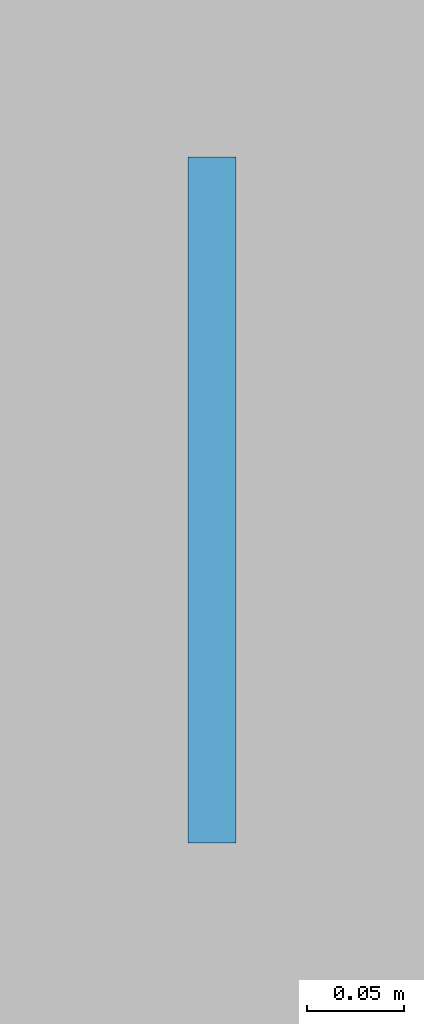
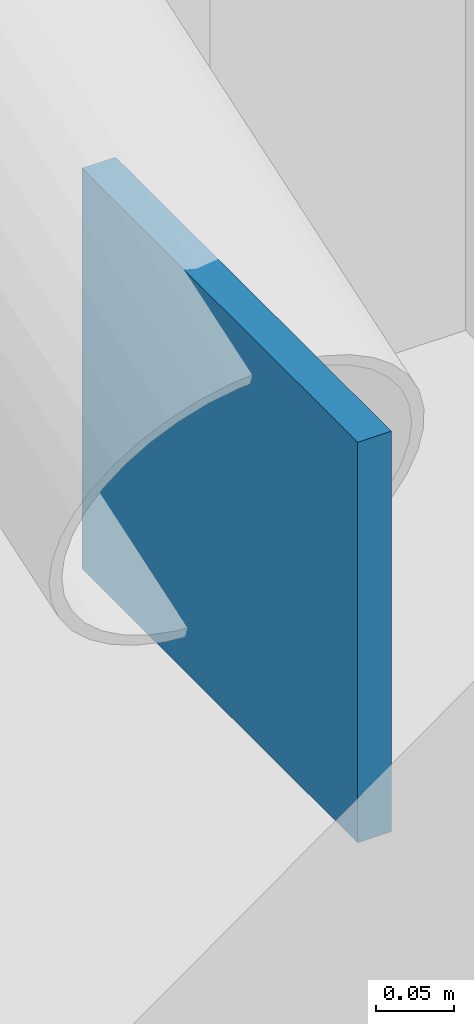
# One storey, part 37 of 58: 1 plate.
"""IFC4 building model written with IfcOpenShell, lengths in metres."""

from ifc_helpers import new_model, si_unit, direction, frame, origin, origin_2d, place, context, subcontext, project, spatial, rectangle, extrude, material, layer, layer_set, type_object, element, save


model = new_model("IFC4")

# Units and contexts
model_context = context("Model", 3, precision=1e-05, world=origin(), true_north=direction((0.0, 1.0)))
body_context = subcontext(model_context, "Body", "Model", "MODEL_VIEW")
ifc_project = project(units=[si_unit("LENGTHUNIT", "METRE"), si_unit("AREAUNIT", "SQUARE_METRE"), si_unit("VOLUMEUNIT", "CUBIC_METRE"), si_unit("PLANEANGLEUNIT", "RADIAN"), si_unit("MASSUNIT", "GRAM", prefix="KILO")], contexts=[model_context])

# Site, building, storey
site_placement = place(None, origin())
site = spatial("IfcSite", under=ifc_project, at=site_placement, CompositionType="ELEMENT")
building_placement = place(site_placement, origin())
building = spatial("IfcBuilding", under=site, at=building_placement, Name="Karori Crest Natural Sciences Institute", CompositionType="ELEMENT")
storey_placement = place(building_placement, frame((0.0, 0.0, -4.199951171875)))
storey = spatial("IfcBuildingStorey", under=building, at=storey_placement, Name="B1", CompositionType="ELEMENT", Elevation=-4.199951171875)

# Plate
ifc_material = material(Name="Structural steel AS/NZS 3679.1 Grade 350", Category="steel")
ifc_layer = layer(ifc_material, 0.02490234375, Name="Structural steel AS/NZS 3679.1 Grade 350")
ifc_layer_set = layer_set([ifc_layer], Name="Structural steel AS/NZS 3679.1 Grade 350")
plate_type = type_object("IfcPlateType", Name="PLT-06", PredefinedType="SHEET", material=ifc_layer_set)
plate_placement = place(storey_placement, frame((27.199951171875, 95.0, 0.093505859375), z_axis=(0.0, 0.0, 1.0), x_axis=(0.0, 1.0, 0.0)))
element("IfcPlate", 1, at=plate_placement, inside=storey, type_object=plate_type, Name="Brace gusset plate EP-0358", PredefinedType="SHEET", context=body_context, shape_type="SweptSolid", body=[
    extrude(rectangle(XDim=0.35302734375, YDim=0.02490234375, at=origin_2d()), origin(), (0.0, 0.0, 1.0), 0.31298828125),
])

save(model, "model.ifc")
